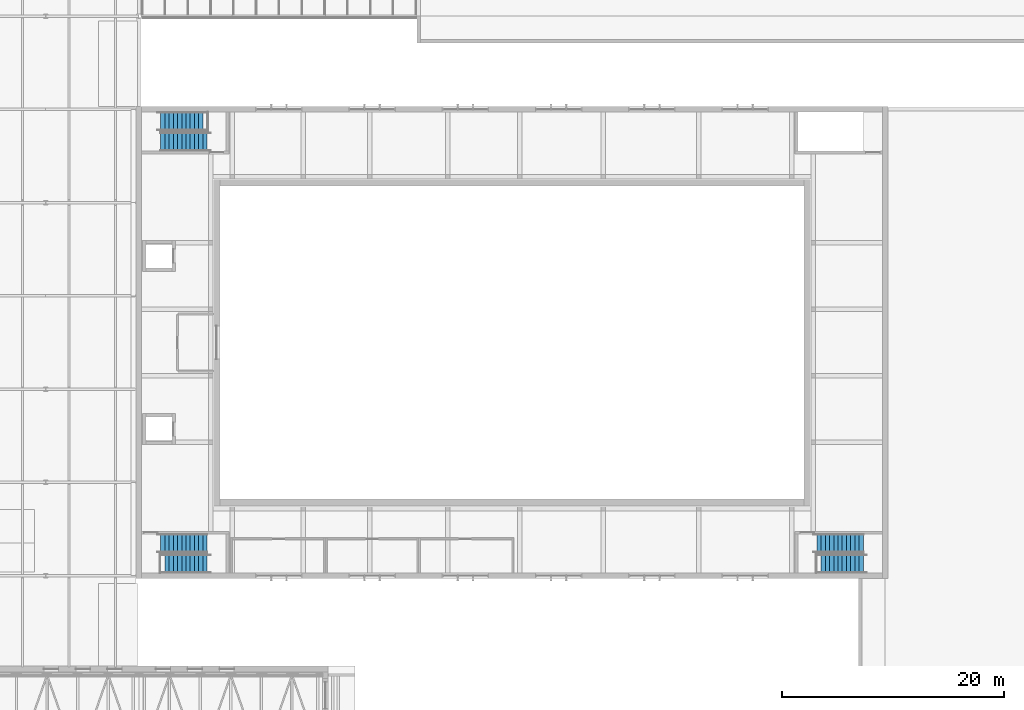
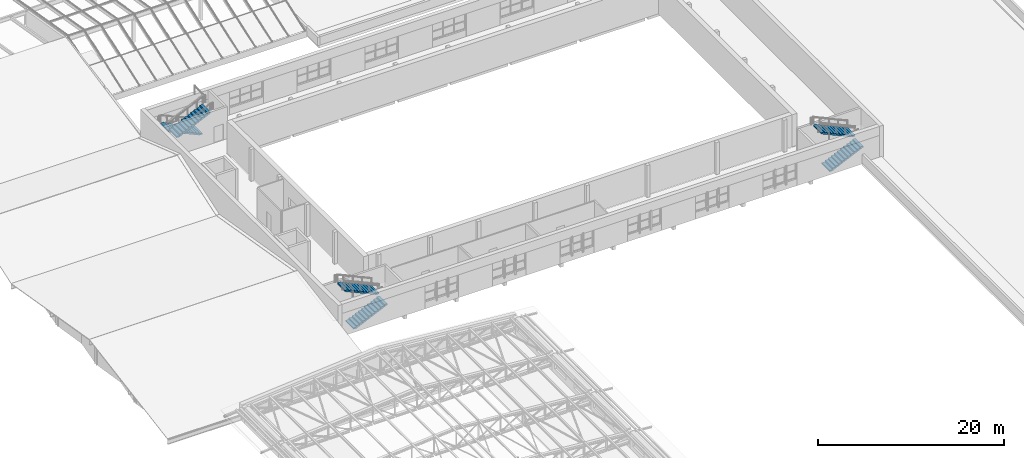
# One storey, part 46 of 60: 6 stair flights, 3 elements without a shape of their own.
"""IFC4 building model written with IfcOpenShell, lengths in metres."""

from ifc_helpers import new_model, si_unit, direction, frame, origin, place, context, subcontext, project, spatial, polyline, outline, extrude, material, type_object, element, aggregate, save


model = new_model("IFC4")

# Units and contexts
model_context = context("Model", 3, precision=1e-05, world=origin(), true_north=direction((0.0, 1.0)))
body_context = subcontext(model_context, "Body", "Model", "MODEL_VIEW")
ifc_project = project(units=[si_unit("LENGTHUNIT", "METRE"), si_unit("AREAUNIT", "SQUARE_METRE"), si_unit("VOLUMEUNIT", "CUBIC_METRE"), si_unit("PLANEANGLEUNIT", "RADIAN"), si_unit("MASSUNIT", "GRAM", prefix="KILO")], contexts=[model_context])

# Site, building, storey
site_placement = place(None, origin())
site = spatial("IfcSite", under=ifc_project, at=site_placement, CompositionType="ELEMENT")
building_placement = place(site_placement, origin())
building = spatial("IfcBuilding", under=site, at=building_placement, Name="Ljudholm Concert House", CompositionType="ELEMENT")
storey_placement = place(building_placement, frame((0.0, 0.0, 15.0)))
storey = spatial("IfcBuildingStorey", under=building, at=storey_placement, Name="L03", CompositionType="ELEMENT", Elevation=15.0)

# Stair, stair flights
ifc_material_1 = material(Name="Concrete 5,000 psi", Category="concrete")
stair_type = type_object("IfcStairType", Name="RC STAIR 1700x175x382", PredefinedType="HALF_TURN_STAIR", material=ifc_material_1)
stair_1_placement = place(storey_placement, origin())
stair_1 = element("IfcStair", 1, at=stair_1_placement, inside=storey, type_object=stair_type, Name="Exit stair EH1", PredefinedType="HALF_TURN_STAIR")
ifc_material_2 = material(Name="Concrete 5,000 psi", Category="concrete")
stair_flight_type = type_object("IfcStairFlightType", Name="RC STAIR FLIGHT 1700x175x382", PredefinedType="STRAIGHT", material=ifc_material_2)
stair_flight_1_placement = place(storey_placement, frame((31.14990234375, 55.5, 0.0), z_axis=(0.0, 0.0, 1.0), x_axis=(1.0, 0.0, 0.0)))
stair_flight_1 = element("IfcStairFlight", 2, at=stair_flight_1_placement, type_object=stair_flight_type, Name="ST-H03-001 flight 1", NumberOfRisers=12, NumberOfTreads=11, PredefinedType="STRAIGHT", RiserHeight=0.175, TreadLength=0.381818182, context=body_context, shape_type="SweptSolid", body=[
    extrude(outline(polyline([(0.0, 0.0), (0.0, 0.175048828125), (0.3818359375, 0.175048828125), (0.3818359375, 0.35009765625), (0.763671875, 0.35009765625), (0.763671875, 0.52490234375), (1.1455078125, 0.52490234375), (1.1455078125, 0.699951171875), (1.52734375, 0.699951171875), (1.52734375, 0.875), (1.9091796875, 0.875), (1.9091796875, 1.050048828125), (2.291015625, 1.050048828125), (2.291015625, 1.22509765625), (2.672607421875, 1.22509765625), (2.672607421875, 1.39990234375), (3.054443359375, 1.39990234375), (3.054443359375, 1.574951171875), (3.436279296875, 1.574951171875), (3.436279296875, 1.75), (3.818115234375, 1.75), (3.818115234375, 1.925048828125), (4.199951171875, 1.925048828125), (4.199951171875, 2.10009765625), (4.199951171875, 1.760009765625), (0.35986328125, 0.0), (0.0, 0.0)])), frame((0.0, 0.85009765625, 0.0), z_axis=(0.0, -1.0, 0.0), x_axis=(1.0, 0.0, 0.0)), (0.0, 0.0, 1.0), 1.699951171875),
])
stair_flight_2_placement = place(storey_placement, frame((35.35009765625, 57.300048828125, 2.10009765625), z_axis=(0.0, 0.0, 1.0), x_axis=(-1.0, 0.0, 0.0)))
stair_flight_2 = element("IfcStairFlight", 3, at=stair_flight_2_placement, type_object=stair_flight_type, Name="ST-H03-001 flight 2", NumberOfRisers=12, NumberOfTreads=11, PredefinedType="STRAIGHT", RiserHeight=0.175, TreadLength=0.381818182, context=body_context, shape_type="SweptSolid", body=[
    extrude(outline(polyline([(0.0, 0.0), (0.0, 0.175048828125), (0.3818359375, 0.175048828125), (0.3818359375, 0.35009765625), (0.763671875, 0.35009765625), (0.763671875, 0.52490234375), (1.1455078125, 0.52490234375), (1.1455078125, 0.699951171875), (1.52734375, 0.699951171875), (1.52734375, 0.875), (1.9091796875, 0.875), (1.9091796875, 1.050048828125), (2.291015625, 1.050048828125), (2.291015625, 1.22509765625), (2.672607421875, 1.22509765625), (2.672607421875, 1.39990234375), (3.054443359375, 1.39990234375), (3.054443359375, 1.574951171875), (3.436279296875, 1.574951171875), (3.436279296875, 1.75), (3.818115234375, 1.75), (3.818115234375, 1.925048828125), (4.199951171875, 1.925048828125), (4.199951171875, 2.10009765625), (4.199951171875, 1.760009765625), (0.35986328125, 0.0), (0.0, 0.0)])), frame((0.0, 0.85009765625, 0.0), z_axis=(0.0, -1.0, 0.0), x_axis=(1.0, 0.0, 0.0)), (0.0, 0.0, 1.0), 1.699951171875),
])
aggregate(stair_1, [stair_flight_1, stair_flight_2])

stair_2_placement = place(storey_placement, origin())
stair_2 = element("IfcStair", 4, at=stair_2_placement, inside=storey, type_object=stair_type, Name="Exit stair EH2", PredefinedType="HALF_TURN_STAIR")
stair_flight_3_placement = place(storey_placement, frame((35.35009765625, 95.300048828125, 0.0), z_axis=(0.0, 0.0, 1.0), x_axis=(-1.0, 0.0, 0.0)))
stair_flight_3 = element("IfcStairFlight", 5, at=stair_flight_3_placement, type_object=stair_flight_type, Name="ST-H03-002 flight 1", NumberOfRisers=12, NumberOfTreads=11, PredefinedType="STRAIGHT", RiserHeight=0.175, TreadLength=0.381818182, context=body_context, shape_type="SweptSolid", body=[
    extrude(outline(polyline([(0.0, 0.0), (0.0, 0.175048828125), (0.3818359375, 0.175048828125), (0.3818359375, 0.35009765625), (0.763671875, 0.35009765625), (0.763671875, 0.52490234375), (1.1455078125, 0.52490234375), (1.1455078125, 0.699951171875), (1.52734375, 0.699951171875), (1.52734375, 0.875), (1.9091796875, 0.875), (1.9091796875, 1.050048828125), (2.291015625, 1.050048828125), (2.291015625, 1.22509765625), (2.672607421875, 1.22509765625), (2.672607421875, 1.39990234375), (3.054443359375, 1.39990234375), (3.054443359375, 1.574951171875), (3.436279296875, 1.574951171875), (3.436279296875, 1.75), (3.818115234375, 1.75), (3.818115234375, 1.925048828125), (4.199951171875, 1.925048828125), (4.199951171875, 2.10009765625), (4.199951171875, 1.760009765625), (0.35986328125, 0.0), (0.0, 0.0)])), frame((0.0, 0.85009765625, 0.0), z_axis=(0.0, -1.0, 0.0), x_axis=(1.0, 0.0, 0.0)), (0.0, 0.0, 1.0), 1.699951171875),
])
stair_flight_4_placement = place(storey_placement, frame((31.14990234375, 93.5, 2.10009765625), z_axis=(0.0, 0.0, 1.0), x_axis=(1.0, 0.0, 0.0)))
stair_flight_4 = element("IfcStairFlight", 6, at=stair_flight_4_placement, type_object=stair_flight_type, Name="ST-H03-002 flight 2", NumberOfRisers=12, NumberOfTreads=11, PredefinedType="STRAIGHT", RiserHeight=0.175, TreadLength=0.381818182, context=body_context, shape_type="SweptSolid", body=[
    extrude(outline(polyline([(0.0, 0.0), (0.0, 0.175048828125), (0.3818359375, 0.175048828125), (0.3818359375, 0.35009765625), (0.763671875, 0.35009765625), (0.763671875, 0.52490234375), (1.1455078125, 0.52490234375), (1.1455078125, 0.699951171875), (1.52734375, 0.699951171875), (1.52734375, 0.875), (1.9091796875, 0.875), (1.9091796875, 1.050048828125), (2.291015625, 1.050048828125), (2.291015625, 1.22509765625), (2.672607421875, 1.22509765625), (2.672607421875, 1.39990234375), (3.054443359375, 1.39990234375), (3.054443359375, 1.574951171875), (3.436279296875, 1.574951171875), (3.436279296875, 1.75), (3.818115234375, 1.75), (3.818115234375, 1.925048828125), (4.199951171875, 1.925048828125), (4.199951171875, 2.10009765625), (4.199951171875, 1.760009765625), (0.35986328125, 0.0), (0.0, 0.0)])), frame((0.0, 0.85009765625, 0.0), z_axis=(0.0, -1.0, 0.0), x_axis=(1.0, 0.0, 0.0)), (0.0, 0.0, 1.0), 1.699951171875),
])
aggregate(stair_2, [stair_flight_3, stair_flight_4])

stair_3_placement = place(storey_placement, origin())
stair_3 = element("IfcStair", 7, at=stair_3_placement, inside=storey, type_object=stair_type, Name="Exit stair EH3", PredefinedType="HALF_TURN_STAIR")
stair_flight_5_placement = place(storey_placement, frame((90.25, 55.5, 0.0), z_axis=(0.0, 0.0, 1.0), x_axis=(1.0, 0.0, 0.0)))
stair_flight_5 = element("IfcStairFlight", 8, at=stair_flight_5_placement, type_object=stair_flight_type, Name="ST-H03-003 flight 1", NumberOfRisers=12, NumberOfTreads=11, PredefinedType="STRAIGHT", RiserHeight=0.175, TreadLength=0.381818182, context=body_context, shape_type="SweptSolid", body=[
    extrude(outline(polyline([(0.0, 0.0), (0.0, 0.175048828125), (0.3818359375, 0.175048828125), (0.3818359375, 0.35009765625), (0.763671875, 0.35009765625), (0.763671875, 0.52490234375), (1.1455078125, 0.52490234375), (1.1455078125, 0.699951171875), (1.52734375, 0.699951171875), (1.52734375, 0.875), (1.9091796875, 0.875), (1.9091796875, 1.050048828125), (2.291015625, 1.050048828125), (2.291015625, 1.22509765625), (2.672607421875, 1.22509765625), (2.672607421875, 1.39990234375), (3.054443359375, 1.39990234375), (3.054443359375, 1.574951171875), (3.436279296875, 1.574951171875), (3.436279296875, 1.75), (3.818115234375, 1.75), (3.818115234375, 1.925048828125), (4.199951171875, 1.925048828125), (4.199951171875, 2.10009765625), (4.199951171875, 1.760009765625), (0.35986328125, 0.0), (0.0, 0.0)])), frame((0.0, 0.85009765625, 0.0), z_axis=(0.0, -1.0, 0.0), x_axis=(1.0, 0.0, 0.0)), (0.0, 0.0, 1.0), 1.699951171875),
])
stair_flight_6_placement = place(storey_placement, frame((94.449951171875, 57.300048828125, 2.10009765625), z_axis=(0.0, 0.0, 1.0), x_axis=(-1.0, 0.0, 0.0)))
stair_flight_6 = element("IfcStairFlight", 9, at=stair_flight_6_placement, type_object=stair_flight_type, Name="ST-H03-003 flight 2", NumberOfRisers=12, NumberOfTreads=11, PredefinedType="STRAIGHT", RiserHeight=0.175, TreadLength=0.381818182, context=body_context, shape_type="SweptSolid", body=[
    extrude(outline(polyline([(0.0, 0.0), (0.0, 0.175048828125), (0.3818359375, 0.175048828125), (0.3818359375, 0.35009765625), (0.763671875, 0.35009765625), (0.763671875, 0.52490234375), (1.1455078125, 0.52490234375), (1.1455078125, 0.699951171875), (1.52734375, 0.699951171875), (1.52734375, 0.875), (1.9091796875, 0.875), (1.9091796875, 1.050048828125), (2.291015625, 1.050048828125), (2.291015625, 1.22509765625), (2.672607421875, 1.22509765625), (2.672607421875, 1.39990234375), (3.054443359375, 1.39990234375), (3.054443359375, 1.574951171875), (3.436279296875, 1.574951171875), (3.436279296875, 1.75), (3.818115234375, 1.75), (3.818115234375, 1.925048828125), (4.199951171875, 1.925048828125), (4.199951171875, 2.10009765625), (4.199951171875, 1.760009765625), (0.35986328125, 0.0), (0.0, 0.0)])), frame((0.0, 0.85009765625, 0.0), z_axis=(0.0, -1.0, 0.0), x_axis=(1.0, 0.0, 0.0)), (0.0, 0.0, 1.0), 1.699951171875),
])
aggregate(stair_3, [stair_flight_5, stair_flight_6])

save(model, "model.ifc")
